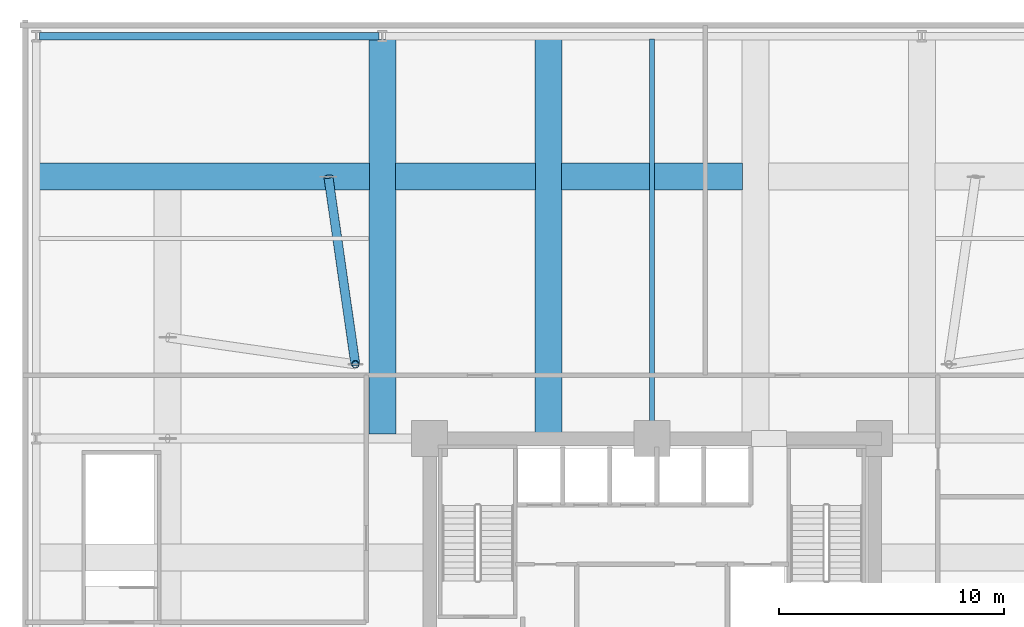
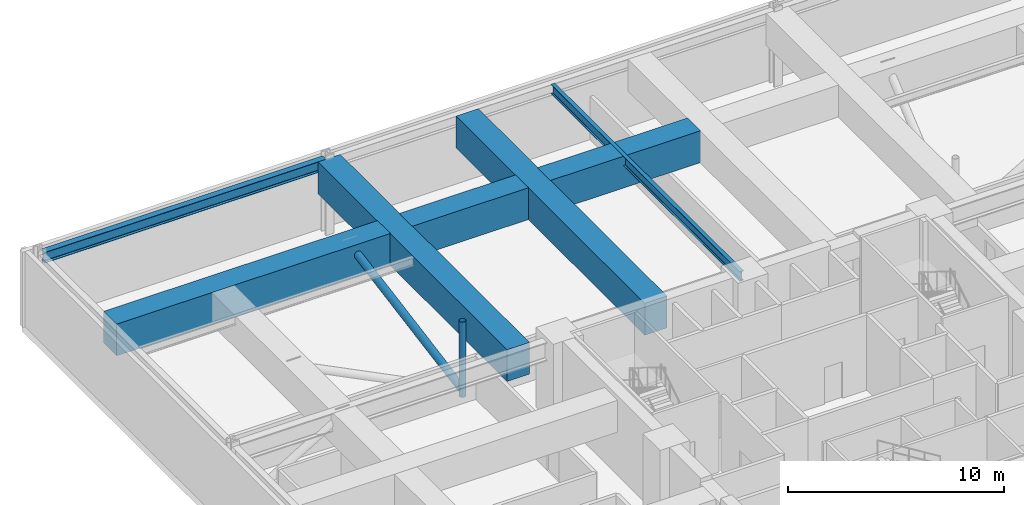
# One storey, part 6 of 16: 7 beams, 2 members.
"""IFC4 building model written with IfcOpenShell, lengths in metres."""

from ifc_helpers import new_model, si_unit, direction, frame, origin, origin_2d, place, context, subcontext, project, spatial, rectangle, hollow_circle, i_section, extrude, material, material_profile, profile_set, type_object, element, save


model = new_model("IFC4")

# Units and contexts
model_context = context("Model", 3, precision=1e-05, world=origin(), true_north=direction((0.0, 1.0)))
body_context = subcontext(model_context, "Body", "Model", "MODEL_VIEW")
ifc_project = project(units=[si_unit("LENGTHUNIT", "METRE"), si_unit("AREAUNIT", "SQUARE_METRE"), si_unit("VOLUMEUNIT", "CUBIC_METRE"), si_unit("PLANEANGLEUNIT", "RADIAN"), si_unit("MASSUNIT", "GRAM", prefix="KILO")], contexts=[model_context])

# Site, building, storey
site_placement = place(None, origin())
site = spatial("IfcSite", under=ifc_project, at=site_placement, CompositionType="ELEMENT")
building_placement = place(site_placement, origin())
building = spatial("IfcBuilding", under=site, at=building_placement, Name="Kolvaren Belvedere", CompositionType="ELEMENT")
storey_placement = place(building_placement, frame((0.0, 0.0, 19.300048828125)))
storey = spatial("IfcBuildingStorey", under=building, at=storey_placement, Name="L05", CompositionType="ELEMENT", Elevation=19.300048828125)

# Beams
ifc_material_1 = material(Name="Structural steel ASTM A992 Grade 50", Category="steel")
ifc_material_profile_1 = material_profile(ifc_material_1, i_section(OverallWidth=0.2099609375, OverallDepth=0.537109375, WebThickness=0.010986328125, FlangeThickness=0.017333984375, FilletRadius=0.01611328125, at=origin_2d()), Name="W21X68")
ifc_profile_set_1 = profile_set([ifc_material_profile_1], Name="Structural steel ASTM A992 Grade 50")
beam_type_1 = type_object("IfcBeamType", Name="BM-FLR-W21X68", PredefinedType="BEAM", material=ifc_profile_set_1)
beam_1_placement = place(storey_placement, frame((0.0, 10.14990234375, 3.991455078125), z_axis=(0.0, 1.0, 0.0), x_axis=(-1.0, 0.0, 0.0)))
element("IfcBeam", 1, at=beam_1_placement, inside=storey, type_object=beam_type_1, Name="L05 North Centre Beam", PredefinedType="BEAM", context=body_context, shape_type="SweptSolid", body=[
    extrude(i_section(OverallWidth=0.2099609375, OverallDepth=0.537109375, WebThickness=0.010986328125, FlangeThickness=0.017333984375, FilletRadius=0.01611328125, at=origin_2d()), origin(), (0.0, 0.0, 1.0), 17.530029296875),
])
ifc_material_2 = material(Name="Structural steel ASTM A992 Grade 50", Category="steel")
ifc_material_profile_2 = material_profile(ifc_material_2, i_section(OverallWidth=0.324951171875, OverallDepth=0.615966796875, WebThickness=0.013916015625, FlangeThickness=0.021484375, FilletRadius=0.02001953125, at=origin_2d()), Name="W24X117")
ifc_profile_set_2 = profile_set([ifc_material_profile_2], Name="Structural steel ASTM A992 Grade 50")
beam_type_2 = type_object("IfcBeamType", Name="BM-SPAN-W24X117", PredefinedType="SPANDREL", material=ifc_profile_set_2)
beam_2_placement = place(storey_placement, frame((-27.25, 27.800048828125, 3.951904296875), z_axis=(1.0, 0.0, 0.0), x_axis=(0.0, 1.0, 0.0)))
element("IfcBeam", 2, at=beam_2_placement, inside=storey, type_object=beam_type_2, Name="L05 North Podium Spandrel 1", PredefinedType="SPANDREL", context=body_context, shape_type="SweptSolid", body=[
    extrude(i_section(OverallWidth=0.324951171875, OverallDepth=0.615966796875, WebThickness=0.013916015625, FlangeThickness=0.021484375, FilletRadius=0.02001953125, at=origin_2d()), origin(), (0.0, 0.0, 1.0), 15.10009765625),
])
ifc_material_3 = material(Name="Concrete C50/60", Category="concrete")
ifc_material_profile_3 = material_profile(ifc_material_3, rectangle(XDim=1.199951171875, YDim=1.800048828125, at=origin_2d()), Name="RC 1200X1800")
ifc_profile_set_3 = profile_set([ifc_material_profile_3], Name="Concrete C50/60")
beam_type_3 = type_object("IfcBeamType", Name="BM-TG-1800", PredefinedType="BEAM", material=ifc_profile_set_3)
beam_3_placement = place(storey_placement, frame((-4.60009765625, 10.14990234375, 3.35986328125), z_axis=(0.0, 1.0, 0.0), x_axis=(-1.0, 0.0, 0.0)))
element("IfcBeam", 3, at=beam_3_placement, inside=storey, type_object=beam_type_3, Name="L05 North Primary Transfer Girder M46", PredefinedType="BEAM", context=body_context, shape_type="SweptSolid", body=[
    extrude(rectangle(XDim=1.199951171875, YDim=1.800048828125, at=origin_2d()), origin(), (0.0, 0.0, 1.0), 17.5),
])
beam_4_placement = place(storey_placement, frame((-12.0, 10.10009765625, 3.35986328125), z_axis=(0.0, 1.0, 0.0), x_axis=(-1.0, 0.0, 0.0)))
element("IfcBeam", 4, at=beam_4_placement, inside=storey, type_object=beam_type_3, Name="L05 North Secondary Transfer Girder M12", PredefinedType="BEAM", context=body_context, shape_type="SweptSolid", body=[
    extrude(rectangle(XDim=1.199951171875, YDim=1.800048828125, at=origin_2d()), origin(), (0.0, 0.0, 1.0), 17.5498046875),
])
beam_5_placement = place(storey_placement, frame((-27.25, 21.550048828125, 3.35986328125), z_axis=(1.0, 0.0, 0.0), x_axis=(0.0, 1.0, 0.0)))
element("IfcBeam", 5, at=beam_5_placement, inside=storey, type_object=beam_type_3, Name="L05 North Transfer Ring Girder W1", PredefinedType="BEAM", context=body_context, shape_type="SweptSolid", body=[
    extrude(rectangle(XDim=1.199951171875, YDim=1.800048828125, at=origin_2d()), origin(), (0.0, 0.0, 1.0), 14.669921875),
])
beam_6_placement = place(storey_placement, frame((-11.419921875, 21.550048828125, 3.35986328125), z_axis=(1.0, 0.0, 0.0), x_axis=(0.0, 1.0, 0.0)))
element("IfcBeam", 6, at=beam_6_placement, inside=storey, type_object=beam_type_3, Name="L05 North Transfer Ring Girder W2", PredefinedType="BEAM", context=body_context, shape_type="SweptSolid", body=[
    extrude(rectangle(XDim=1.199951171875, YDim=1.800048828125, at=origin_2d()), origin(), (0.0, 0.0, 1.0), 6.239990234375),
])
beam_7_placement = place(storey_placement, frame((-4.02001953125, 21.550048828125, 3.35986328125), z_axis=(1.0, 0.0, 0.0), x_axis=(0.0, 1.0, 0.0)))
element("IfcBeam", 7, at=beam_7_placement, inside=storey, type_object=beam_type_3, Name="L05 North Transfer Ring Girder C", PredefinedType="BEAM", context=body_context, shape_type="SweptSolid", body=[
    extrude(rectangle(XDim=1.199951171875, YDim=1.800048828125, at=origin_2d()), origin(), (0.0, 0.0, 1.0), 8.0400390625),
])

# Members
ifc_material_4 = material(Name="Structural steel ASTM A500 Grade C", Category="steel")
ifc_material_profile_4 = material_profile(ifc_material_4, hollow_circle(Radius=0.162109375, WallThickness=0.01171875, at=origin_2d()), Name="HSS12.750X0.500")
ifc_profile_set_4 = profile_set([ifc_material_profile_4], Name="Structural steel ASTM A500 Grade C")
member_type_1 = type_object("IfcMemberType", Name="MB-CAN-POST", PredefinedType="POST", material=ifc_profile_set_4)
member_1_placement = place(storey_placement, frame((-13.199951171875, 13.199951171875, 0.0), z_axis=(0.0, 0.0, 1.0), x_axis=(1.0, 0.0, 0.0)))
element("IfcMember", 8, at=member_1_placement, inside=storey, type_object=member_type_1, Name="L05 Transfer Truss Portal Post TP-3", PredefinedType="POST", context=body_context, shape_type="SweptSolid", body=[
    extrude(hollow_circle(Radius=0.162109375, WallThickness=0.01171875, at=origin_2d()), origin(), (0.0, 0.0, 1.0), 4.260009765625),
])
ifc_material_5 = material(Name="Structural steel ASTM A500 Grade C", Category="steel")
ifc_material_profile_5 = material_profile(ifc_material_5, hollow_circle(Radius=0.202880859375, WallThickness=0.01171875, at=origin_2d()), Name="HSS16.000X0.500")
ifc_profile_set_5 = profile_set([ifc_material_profile_5], Name="Structural steel ASTM A500 Grade C")
member_type_2 = type_object("IfcMemberType", Name="MB-TRUSS-DIAG", PredefinedType="BRACE", material=ifc_profile_set_5)
member_2_placement = place(storey_placement, frame((-13.199951171875, 13.199951171875, 0.349853515625), z_axis=(-0.131051814829, 0.911949983885, 0.388809270365), x_axis=(-0.989831652518, -0.142243803641, 0.0)))
element("IfcMember", 9, at=member_2_placement, inside=storey, type_object=member_type_2, Name="L05 Storey-Deep Transfer Truss Diagonal TD-7", PredefinedType="BRACE", context=body_context, shape_type="SweptSolid", body=[
    extrude(hollow_circle(Radius=0.202880859375, WallThickness=0.01171875, at=origin_2d()), origin(), (0.0, 0.0, 1.0), 9.15625),
])

save(model, "model.ifc")
